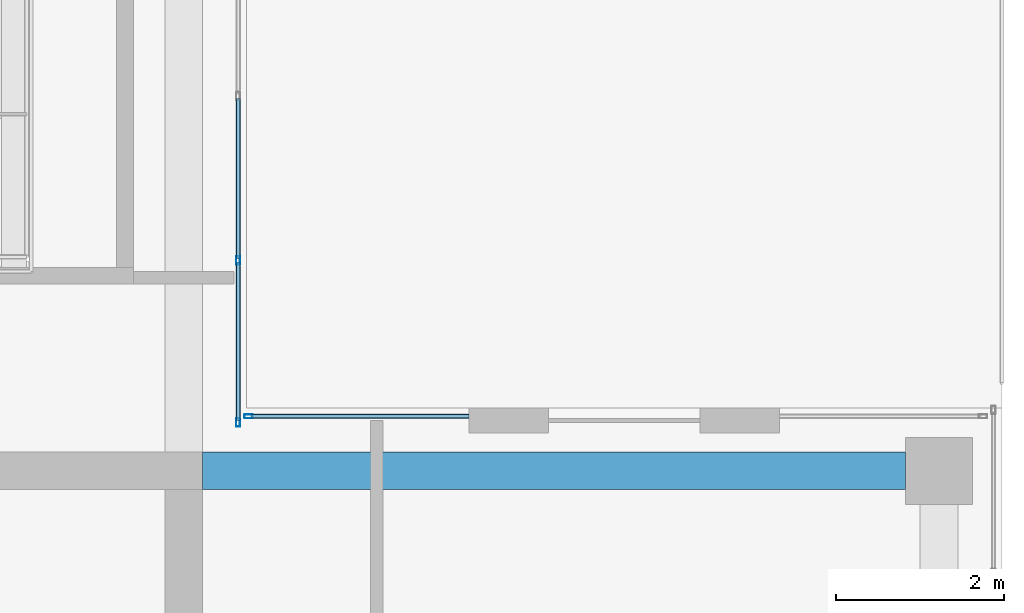
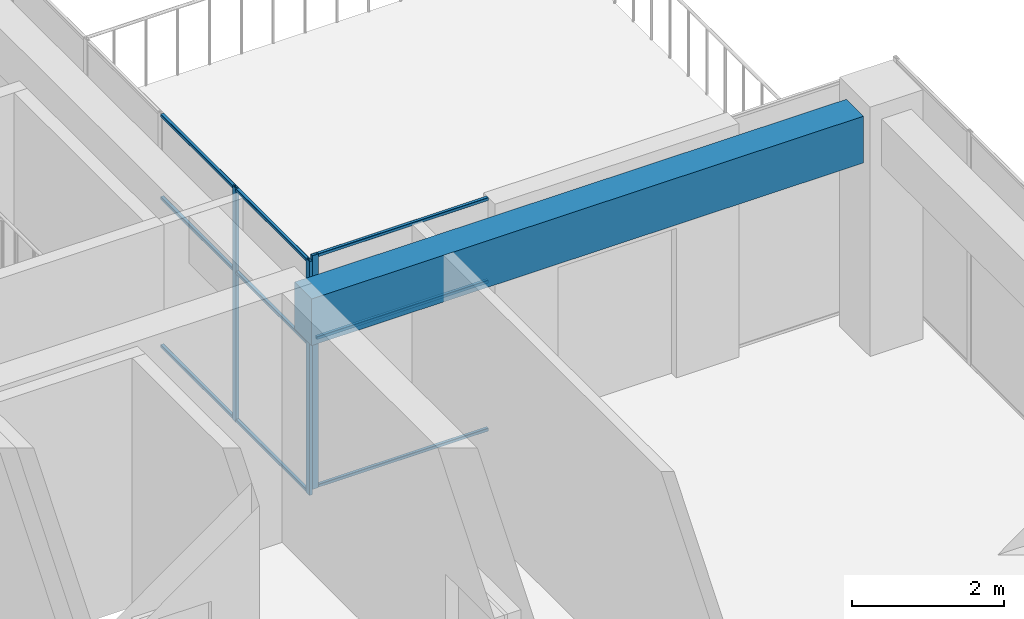
# One storey, part 48 of 81: 12 members, 1 beam, 2 elements without a shape of their own.
"""IFC4 building model written with IfcOpenShell, lengths in metres."""

from ifc_helpers import new_model, si_unit, direction, frame, origin, origin_2d, place, context, subcontext, project, spatial, rectangle, hollow_rectangle, extrude, material, layer, layer_set, material_profile, profile_set, type_object, element, aggregate, save


model = new_model("IFC4")

# Units and contexts
model_context = context("Model", 3, precision=1e-05, world=origin(), true_north=direction((0.0, 1.0)))
body_context = subcontext(model_context, "Body", "Model", "MODEL_VIEW")
ifc_project = project(units=[si_unit("LENGTHUNIT", "METRE"), si_unit("AREAUNIT", "SQUARE_METRE"), si_unit("VOLUMEUNIT", "CUBIC_METRE"), si_unit("PLANEANGLEUNIT", "RADIAN"), si_unit("MASSUNIT", "GRAM", prefix="KILO")], contexts=[model_context])

# Site, building, storey
site_placement = place(None, origin())
site = spatial("IfcSite", under=ifc_project, at=site_placement, CompositionType="ELEMENT")
building_placement = place(site_placement, origin())
building = spatial("IfcBuilding", under=site, at=building_placement, Name="Tuart Plaza Theatre", CompositionType="ELEMENT")
storey_placement = place(building_placement, frame((0.0, 0.0, 17.5)))
storey = spatial("IfcBuildingStorey", under=building, at=storey_placement, Name="L04", CompositionType="ELEMENT", Elevation=17.5)

# Beam
ifc_material_1 = material(Name="Concrete N40 (40 MPa)", Category="concrete")
ifc_material_profile_1 = material_profile(ifc_material_1, rectangle(XDim=0.449951171875, YDim=0.75, at=origin_2d()), Name="BEAM 450x750 Concrete N40 (40 MPa)")
ifc_profile_set_1 = profile_set([ifc_material_profile_1], Name="Concrete N40 (40 MPa)")
beam_type = type_object("IfcBeamType", Name="BEAM 450x750 Concrete N40 (40 MPa)", PredefinedType="BEAM", material=ifc_profile_set_1)
beam_placement = place(storey_placement, frame((141.22509765625, 83.0, 3.375), z_axis=(1.0, 0.0, 0.0), x_axis=(0.0, 1.0, 0.0)))
element("IfcBeam", 1, at=beam_placement, inside=storey, type_object=beam_type, Name="RB236", PredefinedType="BEAM", context=body_context, shape_type="SweptSolid", body=[
    extrude(rectangle(XDim=0.449951171875, YDim=0.75, at=origin_2d()), origin(), (0.0, 0.0, 1.0), 8.375),
])

# Curtain wall, member
ifc_material_2 = material(Name="Aluminium and glass", Category="aluminium")
ifc_layer = layer(ifc_material_2, 0.10009765625)
ifc_layer_set = layer_set([ifc_layer], Name="CURTAIN WALL 2000 module")
curtain_wall_type = type_object("IfcCurtainWallType", Name="CURTAIN WALL 2000 module", PredefinedType="NOTDEFINED", material=ifc_layer_set)
curtain_wall_1_placement = place(storey_placement, origin())
curtain_wall_1 = element("IfcCurtainWall", 2, at=curtain_wall_1_placement, inside=storey, type_object=curtain_wall_type, Name="CW80", PredefinedType="NOTDEFINED")
ifc_material_3 = material(Name="Aluminium 6063-T5", Category="aluminium")
ifc_material_profile_2 = material_profile(ifc_material_3, hollow_rectangle(XDim=0.050048828125, YDim=0.10009765625, WallThickness=0.00390625, InnerFilletRadius=0.00390625, OuterFilletRadius=0.008056640625, at=origin_2d()), Name="RHS 100x50x4")
ifc_profile_set_2 = profile_set([ifc_material_profile_2], Name="Aluminium 6063-T5")
member_type_1 = type_object("IfcMemberType", Name="MULLION RHS 100x50x4", PredefinedType="MULLION", material=ifc_profile_set_2)
member_1_placement = place(storey_placement, frame((141.77490234375, 83.64990234375, 0.0), z_axis=(0.0, 0.0, 1.0), x_axis=(0.0, -1.0, 0.0)))
member_1 = element("IfcMember", 3, at=member_1_placement, type_object=member_type_1, Name="CW80 mullion 2", PredefinedType="MULLION", context=body_context, shape_type="SweptSolid", body=[
    extrude(hollow_rectangle(XDim=0.050048828125, YDim=0.10009765625, WallThickness=0.00390625, InnerFilletRadius=0.00390625, OuterFilletRadius=0.008056640625, at=origin_2d()), origin(), (0.0, 0.0, 1.0), 3.75),
])

# Curtain wall, members
curtain_wall_2_placement = place(storey_placement, origin())
curtain_wall_2 = element("IfcCurtainWall", 4, at=curtain_wall_2_placement, inside=storey, type_object=curtain_wall_type, Name="CW81", PredefinedType="NOTDEFINED")
member_2_placement = place(storey_placement, frame((141.64990234375, 83.574951171875, 0.0), z_axis=(0.0, 0.0, 1.0), x_axis=(-1.0, 0.0, 0.0)))
member_2 = element("IfcMember", 5, at=member_2_placement, type_object=member_type_1, Name="CW81 mullion 1", PredefinedType="MULLION", context=body_context, shape_type="SweptSolid", body=[
    extrude(hollow_rectangle(XDim=0.050048828125, YDim=0.10009765625, WallThickness=0.00390625, InnerFilletRadius=0.00390625, OuterFilletRadius=0.008056640625, at=origin_2d()), origin(), (0.0, 0.0, 1.0), 3.75),
])
member_3_placement = place(storey_placement, frame((141.64990234375, 85.507080078125, 0.0), z_axis=(0.0, 0.0, 1.0), x_axis=(-1.0, 0.0, 0.0)))
member_3 = element("IfcMember", 6, at=member_3_placement, type_object=member_type_1, Name="CW81 mullion 2", PredefinedType="MULLION", context=body_context, shape_type="SweptSolid", body=[
    extrude(hollow_rectangle(XDim=0.050048828125, YDim=0.10009765625, WallThickness=0.00390625, InnerFilletRadius=0.00390625, OuterFilletRadius=0.008056640625, at=origin_2d()), origin(), (0.0, 0.0, 1.0), 3.75),
])

# Member
ifc_material_4 = material(Name="Aluminium 6063-T5", Category="aluminium")
ifc_material_profile_3 = material_profile(ifc_material_4, hollow_rectangle(XDim=0.050048828125, YDim=0.050048828125, WallThickness=0.00390625, InnerFilletRadius=0.00390625, OuterFilletRadius=0.008056640625, at=origin_2d()), Name="RHS 50x50x4")
ifc_profile_set_3 = profile_set([ifc_material_profile_3], Name="Aluminium 6063-T5")
member_type_2 = type_object("IfcMemberType", Name="TRANSOM RHS 50x50x4", PredefinedType="USERDEFINED", material=ifc_profile_set_3)
member_4_placement = place(storey_placement, frame((144.39990234375, 83.64990234375, 0.02490234375), z_axis=(-1.0, 0.0, 0.0), x_axis=(0.0, -1.0, 0.0)))
member_4 = element("IfcMember", 7, at=member_4_placement, type_object=member_type_2, Name="CW80 transom 1.1", ObjectType="TRANSOM", PredefinedType="USERDEFINED", context=body_context, shape_type="SweptSolid", body=[
    extrude(hollow_rectangle(XDim=0.050048828125, YDim=0.050048828125, WallThickness=0.00390625, InnerFilletRadius=0.00390625, OuterFilletRadius=0.008056640625, at=origin_2d()), origin(), (0.0, 0.0, 1.0), 2.599853515625),
])

member_5_placement = place(storey_placement, frame((144.39990234375, 83.64990234375, 2.39990234375), z_axis=(-1.0, 0.0, 0.0), x_axis=(0.0, -1.0, 0.0)))
member_5 = element("IfcMember", 8, at=member_5_placement, type_object=member_type_2, Name="CW80 transom 1.2", ObjectType="TRANSOM", PredefinedType="USERDEFINED", context=body_context, shape_type="SweptSolid", body=[
    extrude(hollow_rectangle(XDim=0.050048828125, YDim=0.050048828125, WallThickness=0.00390625, InnerFilletRadius=0.00390625, OuterFilletRadius=0.008056640625, at=origin_2d()), origin(), (0.0, 0.0, 1.0), 2.599853515625),
])

member_6_placement = place(storey_placement, frame((144.39990234375, 83.64990234375, 3.72509765625), z_axis=(-1.0, 0.0, 0.0), x_axis=(0.0, -1.0, 0.0)))
member_6 = element("IfcMember", 9, at=member_6_placement, type_object=member_type_2, Name="CW80 transom 1.3", ObjectType="TRANSOM", PredefinedType="USERDEFINED", context=body_context, shape_type="SweptSolid", body=[
    extrude(hollow_rectangle(XDim=0.050048828125, YDim=0.050048828125, WallThickness=0.00390625, InnerFilletRadius=0.00390625, OuterFilletRadius=0.008056640625, at=origin_2d()), origin(), (0.0, 0.0, 1.0), 2.599853515625),
])

aggregate(curtain_wall_1, [member_1, member_4, member_5, member_6])

member_7_placement = place(storey_placement, frame((141.64990234375, 83.60009765625, 0.02490234375), z_axis=(0.0, 1.0, 0.0), x_axis=(-1.0, 0.0, 0.0)))
member_7 = element("IfcMember", 10, at=member_7_placement, type_object=member_type_2, Name="CW81 transom 1.1", ObjectType="TRANSOM", PredefinedType="USERDEFINED", context=body_context, shape_type="SweptSolid", body=[
    extrude(hollow_rectangle(XDim=0.050048828125, YDim=0.050048828125, WallThickness=0.00390625, InnerFilletRadius=0.00390625, OuterFilletRadius=0.008056640625, at=origin_2d()), origin(), (0.0, 0.0, 1.0), 1.882080078125),
])

member_8_placement = place(storey_placement, frame((141.64990234375, 83.60009765625, 2.39990234375), z_axis=(0.0, 1.0, 0.0), x_axis=(-1.0, 0.0, 0.0)))
member_8 = element("IfcMember", 11, at=member_8_placement, type_object=member_type_2, Name="CW81 transom 1.2", ObjectType="TRANSOM", PredefinedType="USERDEFINED", context=body_context, shape_type="SweptSolid", body=[
    extrude(hollow_rectangle(XDim=0.050048828125, YDim=0.050048828125, WallThickness=0.00390625, InnerFilletRadius=0.00390625, OuterFilletRadius=0.008056640625, at=origin_2d()), origin(), (0.0, 0.0, 1.0), 1.882080078125),
])

member_9_placement = place(storey_placement, frame((141.64990234375, 83.60009765625, 3.72509765625), z_axis=(0.0, 1.0, 0.0), x_axis=(-1.0, 0.0, 0.0)))
member_9 = element("IfcMember", 12, at=member_9_placement, type_object=member_type_2, Name="CW81 transom 1.3", ObjectType="TRANSOM", PredefinedType="USERDEFINED", context=body_context, shape_type="SweptSolid", body=[
    extrude(hollow_rectangle(XDim=0.050048828125, YDim=0.050048828125, WallThickness=0.00390625, InnerFilletRadius=0.00390625, OuterFilletRadius=0.008056640625, at=origin_2d()), origin(), (0.0, 0.0, 1.0), 1.882080078125),
])

member_10_placement = place(storey_placement, frame((141.64990234375, 85.5322265625, 0.02490234375), z_axis=(0.0, 1.0, 0.0), x_axis=(-1.0, 0.0, 0.0)))
member_10 = element("IfcMember", 13, at=member_10_placement, type_object=member_type_2, Name="CW81 transom 2.1", ObjectType="TRANSOM", PredefinedType="USERDEFINED", context=body_context, shape_type="SweptSolid", body=[
    extrude(hollow_rectangle(XDim=0.050048828125, YDim=0.050048828125, WallThickness=0.00390625, InnerFilletRadius=0.00390625, OuterFilletRadius=0.008056640625, at=origin_2d()), origin(), (0.0, 0.0, 1.0), 1.906982421875),
])

member_11_placement = place(storey_placement, frame((141.64990234375, 85.5322265625, 2.39990234375), z_axis=(0.0, 1.0, 0.0), x_axis=(-1.0, 0.0, 0.0)))
member_11 = element("IfcMember", 14, at=member_11_placement, type_object=member_type_2, Name="CW81 transom 2.2", ObjectType="TRANSOM", PredefinedType="USERDEFINED", context=body_context, shape_type="SweptSolid", body=[
    extrude(hollow_rectangle(XDim=0.050048828125, YDim=0.050048828125, WallThickness=0.00390625, InnerFilletRadius=0.00390625, OuterFilletRadius=0.008056640625, at=origin_2d()), origin(), (0.0, 0.0, 1.0), 1.906982421875),
])

member_12_placement = place(storey_placement, frame((141.64990234375, 85.5322265625, 3.72509765625), z_axis=(0.0, 1.0, 0.0), x_axis=(-1.0, 0.0, 0.0)))
member_12 = element("IfcMember", 15, at=member_12_placement, type_object=member_type_2, Name="CW81 transom 2.3", ObjectType="TRANSOM", PredefinedType="USERDEFINED", context=body_context, shape_type="SweptSolid", body=[
    extrude(hollow_rectangle(XDim=0.050048828125, YDim=0.050048828125, WallThickness=0.00390625, InnerFilletRadius=0.00390625, OuterFilletRadius=0.008056640625, at=origin_2d()), origin(), (0.0, 0.0, 1.0), 1.906982421875),
])

aggregate(curtain_wall_2, [member_2, member_3, member_7, member_8, member_9, member_10, member_11, member_12])

save(model, "model.ifc")
